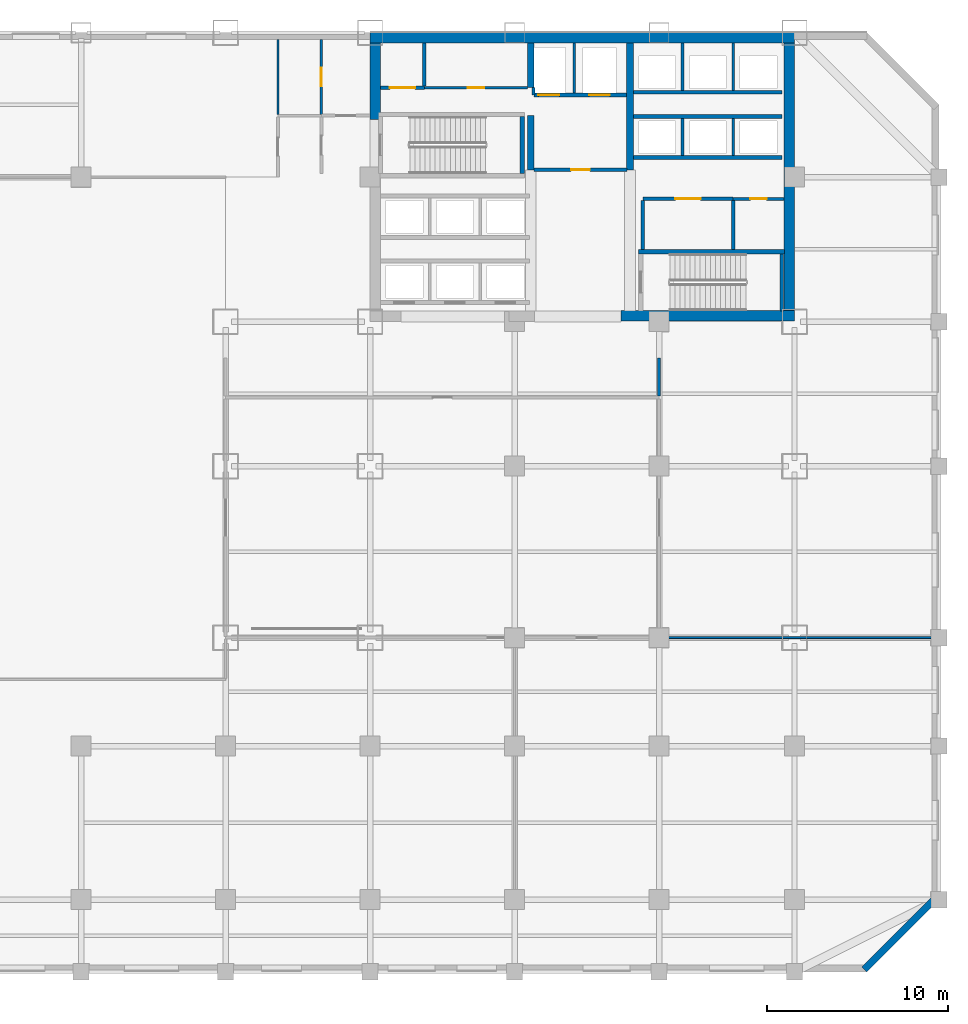
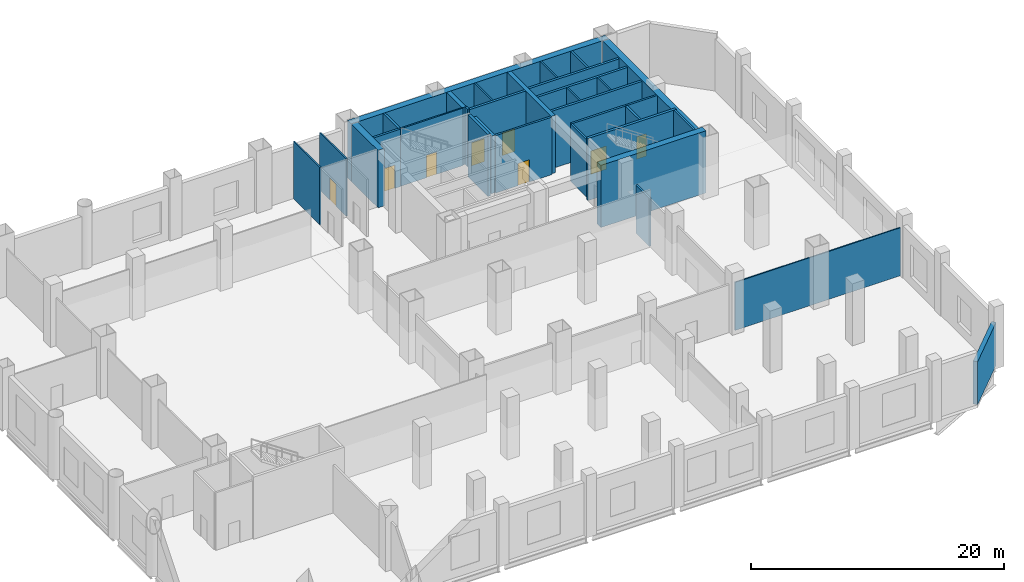
# One storey, part 6 of 11: 33 walls, 8 doors, 8 openings.
"""IFC4 building model written with IfcOpenShell, lengths in metres."""

import ifcopenshell
import ifcopenshell.guid

model = None  # the IFC model being written
_history = None  # IfcOwnerHistory: only IFC2X3 demands one
_inside = {}  # id of a spatial element -> (the spatial element, [elements in it])
_under = {}  # id of a project, library or spatial element -> (it, [spatial elements below it])
_declared = {}  # id of a project -> (the project, [libraries it declares])
_typed = {}  # id of a type object -> (the type object, [elements of that type])
_made_of = {}  # id of a material, layer set ... -> (it, [elements and type objects made of it])


def new_model(schema):
    """Start an empty IFC model of exactly this schema.

    Asked for "IFC4X3", IfcOpenShell would pick the latest addendum, in which some entities
    have other attributes; the version numbers below select the first issue.
    IFC2X3 requires an IfcOwnerHistory on every rooted entity: one is made here for all.
    """
    global model, _history
    if schema == "IFC4X3":
        model = ifcopenshell.file(schema_version=(4, 3, 0, 0))
    else:
        model = ifcopenshell.file(schema=schema)
    _inside.clear()
    _under.clear()
    _declared.clear()
    _typed.clear()
    _made_of.clear()
    _history = None
    if model.schema == "IFC2X3":
        org = make("IfcOrganization", Name="unknown")
        user = make(
            "IfcPersonAndOrganization",
            ThePerson=make("IfcPerson", FamilyName="unknown"),
            TheOrganization=org,
        )
        app = make(
            "IfcApplication",
            ApplicationDeveloper=org,
            Version="unknown",
            ApplicationFullName="unknown",
            ApplicationIdentifier="unknown",
        )
        _history = make(
            "IfcOwnerHistory",
            OwningUser=user,
            OwningApplication=app,
            ChangeAction="ADDED",
            CreationDate=0,
        )
    return model


def make(cls, **values):
    """One entity of the class cls with the attributes given. An attribute that is None is left unset."""
    return model.create_entity(
        cls, **{name: value for name, value in values.items() if value is not None}
    )


def rooted(cls, **values):
    """An entity with a GlobalId (a new one), such as an element, a storey or a relation."""
    return make(cls, GlobalId=ifcopenshell.guid.new(), OwnerHistory=_history, **values)


def si_unit(unit_type, name, prefix=None):
    """IfcSIUnit, for example si_unit("LENGTHUNIT", "METRE", prefix="MILLI")."""
    return make("IfcSIUnit", UnitType=unit_type, Prefix=prefix, Name=name)


def assignment(units):
    """IfcUnitAssignment: the units of a project."""
    return None if units is None else make("IfcUnitAssignment", Units=units)


def point(xyz):
    """IfcCartesianPoint."""
    return None if xyz is None else make("IfcCartesianPoint", Coordinates=xyz)


def direction(xyz):
    """IfcDirection."""
    return None if xyz is None else make("IfcDirection", DirectionRatios=xyz)


def frame(location, z_axis=None, x_axis=None):
    """IfcAxis2Placement3D, a coordinate frame: its origin and axes. An axis left out is left unset."""
    return make(
        "IfcAxis2Placement3D",
        Location=point(location),
        Axis=direction(z_axis),
        RefDirection=direction(x_axis),
    )


def frame_2d(location, x_axis=None):
    """IfcAxis2Placement2D, a coordinate frame in the plane: its origin and x axis."""
    return make(
        "IfcAxis2Placement2D", Location=point(location), RefDirection=direction(x_axis)
    )


def origin():
    """The frame at (0, 0, 0) with its axes left unset."""
    return frame((0.0, 0.0, 0.0))


def place(relative_to, where):
    """IfcLocalPlacement: puts the frame where relative to a parent placement (None: the world)."""
    return make(
        "IfcLocalPlacement", PlacementRelTo=relative_to, RelativePlacement=where
    )


def context(
    kind, dimensions, precision=None, world=None, true_north=None, identifier=None
):
    """IfcGeometricRepresentationContext, for example the 3D "Model" context."""
    return make(
        "IfcGeometricRepresentationContext",
        ContextIdentifier=identifier,
        ContextType=kind,
        CoordinateSpaceDimension=dimensions,
        Precision=precision,
        WorldCoordinateSystem=world,
        TrueNorth=true_north,
    )


def subcontext(parent, identifier, kind, view, scale=None):
    """IfcGeometricRepresentationSubContext, for example "Body" below "Model"."""
    return make(
        "IfcGeometricRepresentationSubContext",
        ContextIdentifier=identifier,
        ContextType=kind,
        ParentContext=parent,
        TargetScale=scale,
        TargetView=view,
    )


def project(units=None, contexts=None):
    """IfcProject with its units and contexts."""
    return rooted(
        "IfcProject",
        Name="project",
        RepresentationContexts=contexts,
        UnitsInContext=assignment(units),
    )


def spatial(cls, under=None, at=None, **own):
    """A site, building, storey or space (cls), placed at a placement, below another one or the project."""
    s = rooted(cls, ObjectPlacement=at, **own)
    if under is not None:
        _under.setdefault(under.id(), (under, []))[1].append(s)
    return s


def profile(cls, at=None, kind="AREA", **sizes):
    """A parametric profile (cls). Its sizes go by their IFC names, for example OverallWidth=200.0."""
    return make(cls, ProfileType=kind, Position=at, **sizes)


def rectangle(**sizes):
    """IfcRectangleProfileDef."""
    return profile("IfcRectangleProfileDef", **sizes)


def extrude(swept, where, along, depth):
    """IfcExtrudedAreaSolid: the profile swept, set in the frame where, extruded along a direction by depth."""
    return make(
        "IfcExtrudedAreaSolid",
        SweptArea=swept,
        Position=where,
        ExtrudedDirection=direction(along),
        Depth=depth,
    )


def shape(context_of_items, identifier, shape_type, items):
    """IfcShapeRepresentation: the items that make up one representation, for example the "Body"."""
    return make(
        "IfcShapeRepresentation",
        ContextOfItems=context_of_items,
        RepresentationIdentifier=identifier,
        RepresentationType=shape_type,
        Items=items,
    )


def material(Name=None, Category=None):
    """IfcMaterial."""
    return make("IfcMaterial", Name=Name, Category=Category)


def layer(
    of_material, thickness, ventilated=None, Name=None, Category=None, Priority=None
):
    """IfcMaterialLayer: one layer of a wall or slab, of a material (None: an air gap)."""
    return make(
        "IfcMaterialLayer",
        Material=of_material,
        LayerThickness=thickness,
        IsVentilated=ventilated,
        Name=Name,
        Category=Category,
        Priority=Priority,
    )


def layer_set(layers, Name=None):
    """IfcMaterialLayerSet."""
    return make("IfcMaterialLayerSet", MaterialLayers=layers, LayerSetName=Name)


def made_of(thing, what):
    """Note that an element or type object is made of a material, layer set ...; save() writes the relation."""
    if what is not None:
        _made_of.setdefault(what.id(), (what, []))[1].append(thing)
    return thing


def type_object(cls, material=None, **own):
    """A type object (cls), such as IfcWallType, which elements share."""
    return made_of(rooted(cls, **own), material)


def element(
    cls,
    number,
    at=None,
    inside=None,
    cuts=None,
    type_object=None,
    material=None,
    context=None,
    identifier="Body",
    shape_type=None,
    held_by="IfcProductDefinitionShape",
    body=None,
    shapes=None,
    **own,
):
    """One element of the class cls, such as IfcWall. Its Tag is "e" and its number.

    at: its placement. inside: the storey or other place that contains it. cuts: it is an
    opening in that element (IfcRelVoidsElement). A single representation is given by context,
    identifier, shape_type and body (its items); several are given by shapes. held_by: the class
    of the entity that holds the representations. save() writes the other relations.
    """
    e = rooted(cls, Tag="e%d" % number, ObjectPlacement=at, **own)
    if body is not None:
        shapes = [shape(context, identifier, shape_type, body)]
    if shapes is not None:
        e.Representation = make(held_by, Representations=shapes)
    if inside is not None:
        _inside.setdefault(inside.id(), (inside, []))[1].append(e)
    if cuts is not None:
        rooted(
            "IfcRelVoidsElement", RelatingBuildingElement=cuts, RelatedOpeningElement=e
        )
    if type_object is not None:
        _typed.setdefault(type_object.id(), (type_object, []))[1].append(e)
    return made_of(e, material)


def fill(opening, filler):
    """IfcRelFillsElement: the door or window that sits in an opening."""
    return rooted(
        "IfcRelFillsElement",
        RelatingOpeningElement=opening,
        RelatedBuildingElement=filler,
    )


def aggregate(whole, parts):
    """IfcRelAggregates: a whole, such as a stair, and the parts it consists of."""
    return rooted("IfcRelAggregates", RelatingObject=whole, RelatedObjects=parts)


def save(model, path):
    """Write the relations noted so far, then the file.

    IfcRelAggregates (storeys below a building ...), IfcRelContainedInSpatialStructure (elements
    in a storey), IfcRelDefinesByType, IfcRelAssociatesMaterial and IfcRelDeclares: one each for
    every whole, place, type object, material and project.
    """
    for whole, parts in _under.values():
        aggregate(whole, parts)
    for where, things in _inside.values():
        rooted(
            "IfcRelContainedInSpatialStructure",
            RelatedElements=things,
            RelatingStructure=where,
        )
    for kind, things in _typed.values():
        rooted("IfcRelDefinesByType", RelatedObjects=things, RelatingType=kind)
    for what, things in _made_of.values():
        rooted("IfcRelAssociatesMaterial", RelatedObjects=things, RelatingMaterial=what)
    for by, libraries in _declared.values():
        rooted("IfcRelDeclares", RelatingContext=by, RelatedDefinitions=libraries)
    model.write(path)


model = new_model("IFC4")

# Units and contexts
model_context = context("Model", 3, precision=1e-05, world=origin(), true_north=direction((0.0, 1.0)))
body_context = subcontext(model_context, "Body", "Model", "MODEL_VIEW")
ifc_project = project(units=[si_unit("LENGTHUNIT", "METRE"), si_unit("AREAUNIT", "SQUARE_METRE"), si_unit("VOLUMEUNIT", "CUBIC_METRE"), si_unit("PLANEANGLEUNIT", "RADIAN"), si_unit("MASSUNIT", "GRAM", prefix="KILO")], contexts=[model_context])

# Site, building, storey
site_placement = place(None, origin())
site = spatial("IfcSite", under=ifc_project, at=site_placement, CompositionType="ELEMENT")
building_placement = place(site_placement, origin())
building = spatial("IfcBuilding", under=site, at=building_placement, Name="Qianrong Seaharbour Tower", CompositionType="ELEMENT")
storey_placement = place(building_placement, frame((0.0, 0.0, 11.39990234375)))
storey = spatial("IfcBuildingStorey", under=building, at=storey_placement, Name="L03", CompositionType="ELEMENT", Elevation=11.39990234375)

# Walls
ifc_material_1 = material(Name="Concrete C70/85", Category="concrete")
ifc_layer_1 = layer(ifc_material_1, 0.580078125)
ifc_layer_set_1 = layer_set([ifc_layer_1], Name="Concrete C70/85")
wall_type_1 = type_object("IfcWallType", Name="WALL-CORE-580", PredefinedType="SHEAR", material=ifc_layer_set_1)
wall_1_placement = place(storey_placement, frame((40.5, 51.7099609375, 0.0), z_axis=(0.0, 0.0, 1.0), x_axis=(1.0, 0.0, 0.0)))
element("IfcWall", 1, at=wall_1_placement, inside=storey, type_object=wall_type_1, Name="L03 North Core Shear Wall", PredefinedType="SHEAR", context=body_context, shape_type="SweptSolid", body=[
    extrude(rectangle(XDim=23.5, YDim=0.580078125, at=frame_2d((11.75, 0.0))), origin(), (0.0, 0.0, 1.0), 5.550048828125),
])
wall_2_placement = place(storey_placement, frame((63.7099609375, 36.320068359375, 0.0), z_axis=(0.0, 0.0, 1.0), x_axis=(0.0, 1.0, 0.0)))
element("IfcWall", 2, at=wall_2_placement, inside=storey, type_object=wall_type_1, Name="L03 East Core Shear Wall", PredefinedType="SHEAR", context=body_context, shape_type="SweptSolid", body=[
    extrude(rectangle(XDim=15.099853515625, YDim=0.580078125, at=frame_2d((7.5498046875, 0.0))), origin(), (0.0, 0.0, 1.0), 5.550048828125),
])
wall_3_placement = place(storey_placement, frame((40.7900390625, 47.199951171875, 0.0), z_axis=(0.0, 0.0, 1.0), x_axis=(0.0, 1.0, 0.0)))
element("IfcWall", 3, at=wall_3_placement, inside=storey, type_object=wall_type_1, Name="L03 West Core Shear Wall North", PredefinedType="SHEAR", context=body_context, shape_type="SweptSolid", body=[
    extrude(rectangle(XDim=4.219970703125, YDim=0.580078125, at=frame_2d((2.10986328125, 0.0))), origin(), (0.0, 0.0, 1.0), 5.550048828125),
])
wall_4_placement = place(storey_placement, frame((54.39990234375, 36.320068359375, 0.0), z_axis=(0.0, 0.0, 1.0), x_axis=(1.0, 0.0, 0.0)))
element("IfcWall", 4, at=wall_4_placement, inside=storey, type_object=wall_type_1, Name="L03 South Core Shear Wall S3", PredefinedType="SHEAR", context=body_context, shape_type="SweptSolid", body=[
    extrude(rectangle(XDim=9.60009765625, YDim=0.580078125, at=frame_2d((4.800048828125, 0.0))), origin(), (0.0, 0.0, 1.0), 6.0),
])
ifc_material_2 = material(Name="Concrete C60/75", Category="concrete")
ifc_layer_2 = layer(ifc_material_2, 0.3798828125)
ifc_layer_set_2 = layer_set([ifc_layer_2], Name="Concrete C60/75")
wall_type_2 = type_object("IfcWallType", Name="WALL-CORE-INT-380", PredefinedType="SHEAR", material=ifc_layer_set_2)
wall_5_placement = place(storey_placement, frame((49.39990234375, 44.39990234375, 0.0), z_axis=(0.0, 0.0, 1.0), x_axis=(0.0, 1.0, 0.0)))
element("IfcWall", 5, at=wall_5_placement, inside=storey, type_object=wall_type_2, Name="L03 Internal Core Shear Wall IW1N1", PredefinedType="SHEAR", context=body_context, shape_type="SweptSolid", body=[
    extrude(rectangle(XDim=3.0, YDim=0.3798828125, at=frame_2d((1.5, 0.0))), origin(), (0.0, 0.0, 1.0), 5.550048828125),
])
wall_6_placement = place(storey_placement, frame((49.39990234375, 48.949951171875, 0.0), z_axis=(0.0, 0.0, 1.0), x_axis=(0.0, 1.0, 0.0)))
element("IfcWall", 6, at=wall_6_placement, inside=storey, type_object=wall_type_2, Name="L03 Internal Core Shear Wall IW1N2", PredefinedType="SHEAR", context=body_context, shape_type="SweptSolid", body=[
    extrude(rectangle(XDim=2.469970703125, YDim=0.3798828125, at=frame_2d((1.23486328125, 0.0))), origin(), (0.0, 0.0, 1.0), 5.550048828125),
])
wall_7_placement = place(storey_placement, frame((54.89990234375, 44.39990234375, 0.0), z_axis=(0.0, 0.0, 1.0), x_axis=(0.0, 1.0, 0.0)))
element("IfcWall", 7, at=wall_7_placement, inside=storey, type_object=wall_type_2, Name="L03 Internal Core Shear Wall IW2N", PredefinedType="SHEAR", context=body_context, shape_type="SweptSolid", body=[
    extrude(rectangle(XDim=7.02001953125, YDim=0.3798828125, at=frame_2d((3.510009765625, 0.0))), origin(), (0.0, 0.0, 1.0), 5.550048828125),
])

# Wall, opening, door
ifc_material_3 = material(Name="Fire-rated acoustic gypsum board partition")
ifc_layer_3 = layer(ifc_material_3, 0.1650390625)
ifc_layer_set_3 = layer_set([ifc_layer_3], Name="Fire-rated acoustic gypsum board partition")
wall_type_3 = type_object("IfcWallType", Name="WALL-CORR-PART-165", PredefinedType="PARTITIONING", material=ifc_layer_set_3)
wall_8_placement = place(storey_placement, frame((63.419921875, 42.800048828125, 0.0), z_axis=(0.0, 0.0, 1.0), x_axis=(-1.0, 0.0, 0.0)))
wall_8 = element("IfcWall", 8, at=wall_8_placement, inside=storey, type_object=wall_type_3, Name="L03 Interior Partition Wall 011", PredefinedType="PARTITIONING", context=body_context, shape_type="SweptSolid", body=[
    extrude(rectangle(XDim=2.81982421875, YDim=0.1650390625, at=frame_2d((1.409912109375, 0.0))), origin(), (0.0, 0.0, 1.0), 5.550048828125),
])
opening_1_placement = place(wall_8_placement, frame((0.9599609375, 0.0, 0.0)))
opening_1 = element("IfcOpeningElement", 9, at=opening_1_placement, cuts=wall_8, Name="Opening DS-01", PredefinedType="OPENING", context=body_context, shape_type="SweptSolid", body=[
    extrude(rectangle(XDim=0.89990234375, YDim=2.14990234375, at=frame_2d((0.449951171875, 1.074951171875))), frame((0.0, 0.092529296875, 0.0), z_axis=(0.0, -1.0, 0.0), x_axis=(1.0, 0.0, 0.0)), (0.0, 0.0, 1.0), 0.18505859375),
])
ifc_material_4 = material(Name="Acoustic timber and galvanized steel fire door assembly", Category="steel")
door_type_1 = type_object("IfcDoorType", Name="DOOR-STORE-900x2150", OperationType="NOTDEFINED", PredefinedType="DOOR", material=ifc_material_4)
door_1_placement = place(opening_1_placement, origin())
door_1 = element("IfcDoor", 10, at=door_1_placement, inside=storey, type_object=door_type_1, Name="L03 Housekeeping Linen Store Door", OperationType="SINGLE_SWING_LEFT", OverallHeight=2.14990234375, OverallWidth=0.89990234375, PredefinedType="DOOR", context=body_context, shape_type="SweptSolid", body=[
    extrude(rectangle(XDim=0.89990234375, YDim=2.14990234375, at=frame_2d((0.449951171875, 1.074951171875))), frame((0.0, 0.02490234375, 0.0), z_axis=(0.0, -1.0, 0.0), x_axis=(1.0, 0.0, 0.0)), (0.0, 0.0, 1.0), 0.050048828125),
])
fill(opening_1, door_1)

# Walls
wall_9_placement = place(storey_placement, frame((56.5, 34.0, 0.0), z_axis=(0.0, 0.0, 1.0), x_axis=(0.0, -1.0, 0.0)))
element("IfcWall", 11, at=wall_9_placement, inside=storey, type_object=wall_type_3, Name="L03 Interior Partition Wall 019", PredefinedType="PARTITIONING", context=body_context, shape_type="SweptSolid", body=[
    extrude(rectangle(XDim=2.12548828125, YDim=0.1650390625, at=frame_2d((1.062744140625, 0.0))), origin(), (0.0, 0.0, 1.0), 4.64208984375),
])
ifc_material_5 = material(Name="Demountable aluminium-framed acoustic office partition", Category="aluminium")
ifc_layer_4 = layer(ifc_material_5, 0.110107421875)
ifc_layer_set_4 = layer_set([ifc_layer_4], Name="Demountable aluminium-framed acoustic office partition")
wall_type_4 = type_object("IfcWallType", Name="WALL-DEMOUNT-110", PredefinedType="MOVABLE", material=ifc_layer_set_4)
wall_10_placement = place(storey_placement, frame((71.6279296875, 18.5, 0.0), z_axis=(0.0, 0.0, 1.0), x_axis=(-1.0, 0.0, 0.0)))
element("IfcWall", 12, at=wall_10_placement, inside=storey, type_object=wall_type_4, Name="L03 Interior Partition Wall 034", PredefinedType="MOVABLE", context=body_context, shape_type="SweptSolid", body=[
    extrude(rectangle(XDim=15.1279296875, YDim=0.110107421875, at=frame_2d((7.56396484375, 0.0))), origin(), (0.0, 0.0, 1.0), 4.64208984375),
])
ifc_material_6 = material(Name="Natural honed granite dimension stone", Category="masonry")
ifc_layer_5 = layer(ifc_material_6, 0.3798828125)
ifc_layer_set_5 = layer_set([ifc_layer_5], Name="Natural honed granite dimension stone")
wall_type_5 = type_object("IfcWallType", Name="WALL-EXT-GRANITE-380", PredefinedType="SOLIDWALL", material=ifc_layer_set_5)
wall_11_placement = place(storey_placement, frame((71.86572265625, 4.13427734375, 0.0), z_axis=(0.0, 0.0, 1.0), x_axis=(-0.707106781187, -0.707106781187, 0.0)))
element("IfcWall", 13, at=wall_11_placement, inside=storey, type_object=wall_type_5, Name="L03 Exterior Masonry Facade Wall E05", PredefinedType="SOLIDWALL", context=body_context, shape_type="SweptSolid", body=[
    extrude(rectangle(XDim=5.65673828125, YDim=0.3798828125, at=frame_2d((2.828369140625, 0.0))), origin(), (0.0, 0.0, 1.0), 4.150146484375),
])

# Wall, opening, door
ifc_material_7 = material(Name="Double fire-rated gypsum board acoustic partition")
ifc_layer_6 = layer(ifc_material_7, 0.18994140625)
ifc_layer_set_6 = layer_set([ifc_layer_6], Name="Double fire-rated gypsum board acoustic partition")
wall_type_6 = type_object("IfcWallType", Name="WALL-FIRE-PART-190", PredefinedType="PARTITIONING", material=ifc_layer_set_6)
wall_12_placement = place(storey_placement, frame((41.080078125, 48.949951171875, 0.0), z_axis=(0.0, 0.0, 1.0), x_axis=(1.0, 0.0, 0.0)))
wall_12 = element("IfcWall", 14, at=wall_12_placement, inside=storey, type_object=wall_type_6, Name="L03 Interior Partition Wall 006", PredefinedType="PARTITIONING", context=body_context, shape_type="SweptSolid", body=[
    extrude(rectangle(XDim=2.419921875, YDim=0.18994140625, at=frame_2d((1.2099609375, 0.0))), origin(), (0.0, 0.0, 1.0), 5.550048828125),
])
opening_2_placement = place(wall_12_placement, frame((0.510009765625, 0.0, 0.0)))
opening_2 = element("IfcOpeningElement", 15, at=opening_2_placement, cuts=wall_12, Name="Opening DP-01", PredefinedType="OPENING", context=body_context, shape_type="SweptSolid", body=[
    extrude(rectangle(XDim=1.39990234375, YDim=2.25, at=frame_2d((0.699951171875, 1.125))), frame((0.0, 0.10498046875, 0.0), z_axis=(0.0, -1.0, 0.0), x_axis=(1.0, 0.0, 0.0)), (0.0, 0.0, 1.0), 0.2099609375),
])
door_type_2 = type_object("IfcDoorType", Name="DOOR-PLANT-PAIR-1400x2250", OperationType="DOUBLE_DOOR_SINGLE_SWING", PredefinedType="DOOR", material=ifc_material_4)
door_2_placement = place(opening_2_placement, origin())
door_2 = element("IfcDoor", 16, at=door_2_placement, inside=storey, type_object=door_type_2, Name="L03 Core Electrical Closet Door", OperationType="DOUBLE_DOOR_SINGLE_SWING", OverallHeight=2.25, OverallWidth=1.39990234375, PredefinedType="DOOR", context=body_context, shape_type="SweptSolid", body=[
    extrude(rectangle(XDim=1.39990234375, YDim=2.25, at=frame_2d((0.699951171875, 1.125))), frame((0.0, 0.02490234375, 0.0), z_axis=(0.0, -1.0, 0.0), x_axis=(1.0, 0.0, 0.0)), (0.0, 0.0, 1.0), 0.050048828125),
])
fill(opening_2, door_2)

wall_13_placement = place(storey_placement, frame((54.718017578125, 44.39990234375, 0.0), z_axis=(0.0, 0.0, 1.0), x_axis=(-1.0, 0.0, 0.0)))
wall_13 = element("IfcWall", 17, at=wall_13_placement, inside=storey, type_object=wall_type_6, Name="L03 Interior Partition Wall 008", PredefinedType="PARTITIONING", context=body_context, shape_type="SweptSolid", body=[
    extrude(rectangle(XDim=5.135986328125, YDim=0.18994140625, at=frame_2d((2.56787109375, 0.0))), origin(), (0.0, 0.0, 1.0), 5.550048828125),
])
opening_3_placement = place(wall_13_placement, frame((2.04296875, 0.0, 0.0)))
opening_3 = element("IfcOpeningElement", 18, at=opening_3_placement, cuts=wall_13, Name="Opening DC-01", PredefinedType="OPENING", context=body_context, shape_type="SweptSolid", body=[
    extrude(rectangle(XDim=1.050048828125, YDim=2.14990234375, at=frame_2d((0.52490234375, 1.074951171875))), frame((0.0, 0.10498046875, 0.0), z_axis=(0.0, -1.0, 0.0), x_axis=(1.0, 0.0, 0.0)), (0.0, 0.0, 1.0), 0.2099609375),
])
door_type_3 = type_object("IfcDoorType", Name="DOOR-CORR-FD60-1050x2150", OperationType="NOTDEFINED", PredefinedType="DOOR", material=ifc_material_4)
door_3_placement = place(opening_3_placement, origin())
door_3 = element("IfcDoor", 19, at=door_3_placement, inside=storey, type_object=door_type_3, Name="L03 Firefighting Lift Lobby Door", OperationType="SINGLE_SWING_RIGHT", OverallHeight=2.14990234375, OverallWidth=1.050048828125, PredefinedType="DOOR", context=body_context, shape_type="SweptSolid", body=[
    extrude(rectangle(XDim=1.050048828125, YDim=2.14990234375, at=frame_2d((0.52490234375, 1.074951171875))), frame((0.0, 0.02490234375, 0.0), z_axis=(0.0, -1.0, 0.0), x_axis=(1.0, 0.0, 0.0)), (0.0, 0.0, 1.0), 0.050048828125),
])
fill(opening_3, door_3)

# Wall
wall_14_placement = place(storey_placement, frame((55.60009765625, 42.712890625, 0.0), z_axis=(0.0, 0.0, 1.0), x_axis=(0.0, -1.0, 0.0)))
element("IfcWall", 20, at=wall_14_placement, inside=storey, type_object=wall_type_6, Name="L03 Interior Partition Wall 009", PredefinedType="PARTITIONING", context=body_context, shape_type="SweptSolid", body=[
    extrude(rectangle(XDim=2.73095703125, YDim=0.18994140625, at=frame_2d((1.365478515625, 0.0))), origin(), (0.0, 0.0, 1.0), 5.550048828125),
])

# Wall, opening, door
wall_15_placement = place(storey_placement, frame((60.60009765625, 42.800048828125, 0.0), z_axis=(0.0, 0.0, 1.0), x_axis=(-1.0, 0.0, 0.0)))
wall_15 = element("IfcWall", 21, at=wall_15_placement, inside=storey, type_object=wall_type_6, Name="L03 Interior Partition Wall 010", PredefinedType="PARTITIONING", context=body_context, shape_type="SweptSolid", body=[
    extrude(rectangle(XDim=5.0, YDim=0.18994140625, at=frame_2d((2.5, 0.0))), origin(), (0.0, 0.0, 1.0), 5.550048828125),
])
opening_4_placement = place(wall_15_placement, frame((1.800048828125, 0.0, 0.0)))
opening_4 = element("IfcOpeningElement", 22, at=opening_4_placement, cuts=wall_15, Name="Opening DP-01", PredefinedType="OPENING", context=body_context, shape_type="SweptSolid", body=[
    extrude(rectangle(XDim=1.39990234375, YDim=2.25, at=frame_2d((0.699951171875, 1.125))), frame((0.0, 0.10498046875, 0.0), z_axis=(0.0, -1.0, 0.0), x_axis=(1.0, 0.0, 0.0)), (0.0, 0.0, 1.0), 0.2099609375),
])
door_4_placement = place(opening_4_placement, origin())
door_4 = element("IfcDoor", 23, at=door_4_placement, inside=storey, type_object=door_type_2, Name="L03 Submetering Switch Room Door", OperationType="DOUBLE_DOOR_SINGLE_SWING", OverallHeight=2.25, OverallWidth=1.39990234375, PredefinedType="DOOR", context=body_context, shape_type="SweptSolid", body=[
    extrude(rectangle(XDim=1.39990234375, YDim=2.25, at=frame_2d((0.699951171875, 1.125))), frame((0.0, 0.02490234375, 0.0), z_axis=(0.0, -1.0, 0.0), x_axis=(1.0, 0.0, 0.0)), (0.0, 0.0, 1.0), 0.050048828125),
])
fill(opening_4, door_4)

# Walls
wall_16_placement = place(storey_placement, frame((43.5, 51.419921875, 0.0), z_axis=(0.0, 0.0, 1.0), x_axis=(0.0, -1.0, 0.0)))
element("IfcWall", 24, at=wall_16_placement, inside=storey, type_object=wall_type_6, Name="L03 Interior Partition Wall 012", PredefinedType="PARTITIONING", context=body_context, shape_type="SweptSolid", body=[
    extrude(rectangle(XDim=2.3828125, YDim=0.18994140625, at=frame_2d((1.19140625, 0.0))), origin(), (0.0, 0.0, 1.0), 5.550048828125),
])
wall_17_placement = place(storey_placement, frame((60.60009765625, 42.712890625, 0.0), z_axis=(0.0, 0.0, 1.0), x_axis=(0.0, -1.0, 0.0)))
element("IfcWall", 25, at=wall_17_placement, inside=storey, type_object=wall_type_6, Name="L03 Interior Partition Wall 013", PredefinedType="PARTITIONING", context=body_context, shape_type="SweptSolid", body=[
    extrude(rectangle(XDim=2.73095703125, YDim=0.18994140625, at=frame_2d((1.365478515625, 0.0))), origin(), (0.0, 0.0, 1.0), 5.550048828125),
])
ifc_material_8 = material(Name="Fire-rated gypsum board on steel studs", Category="steel")
ifc_layer_7 = layer(ifc_material_8, 0.14990234375)
ifc_layer_set_7 = layer_set([ifc_layer_7], Name="Fire-rated gypsum board on steel studs")
wall_type_7 = type_object("IfcWallType", Name="WALL-SHAFT-DIV-150", PredefinedType="PARTITIONING", material=ifc_layer_set_7)
wall_18_placement = place(storey_placement, frame((51.800048828125, 48.669921875, 0.0), z_axis=(0.0, 0.0, 1.0), x_axis=(0.0, 1.0, 0.0)))
element("IfcWall", 26, at=wall_18_placement, inside=storey, type_object=wall_type_7, Name="L03 Firefighting Lift Shaft Divider Wall", PredefinedType="PARTITIONING", context=body_context, shape_type="SweptSolid", body=[
    extrude(rectangle(XDim=2.75, YDim=0.14990234375, at=frame_2d((1.375, 0.0))), origin(), (0.0, 0.0, 1.0), 5.550048828125),
])
wall_19_placement = place(storey_placement, frame((49.550048828125, 48.550048828125, 0.0), z_axis=(0.0, 0.0, 1.0), x_axis=(0.0, 1.0, 0.0)))
element("IfcWall", 27, at=wall_19_placement, inside=storey, type_object=wall_type_7, Name="L03 Firefighting Lift Shaft West Return Wall", PredefinedType="PARTITIONING", context=body_context, shape_type="SweptSolid", body=[
    extrude(rectangle(XDim=0.39990234375, YDim=0.14990234375, at=frame_2d((0.199951171875, 0.0))), origin(), (0.0, 0.0, 1.0), 5.550048828125),
])
for number, where, z_axis, x_axis, name in (
    (28, (57.800048828125, 45.2099609375, 0.0), (0.0, 0.0, 1.0), (0.0, 1.0, 0.0), "L03 P3 Lift Hoistway Divider 2"),
    (29, (60.60009765625, 45.2099609375, 0.0), (0.0, 0.0, 1.0), (0.0, 1.0, 0.0), "L03 P3 Lift Hoistway Divider 3"),
):
    element("IfcWall", number, at=place(storey_placement, frame(where, z_axis=z_axis, x_axis=x_axis)), inside=storey, type_object=wall_type_7, Name=name, PredefinedType="PARTITIONING", context=body_context, shape_type="SweptSolid", body=[
        extrude(rectangle(XDim=2.030029296875, YDim=0.14990234375, at=frame_2d((1.01513671875, 0.0))), origin(), (0.0, 0.0, 1.0), 5.550048828125),
    ])
for number, where, z_axis, x_axis, name in (
    (30, (57.800048828125, 48.81005859375, 0.0), (0.0, 0.0, 1.0), (0.0, 1.0, 0.0), "L03 P4 Lift Hoistway Divider 2"),
    (31, (60.60009765625, 48.81005859375, 0.0), (0.0, 0.0, 1.0), (0.0, 1.0, 0.0), "L03 P4 Lift Hoistway Divider 3"),
):
    element("IfcWall", number, at=place(storey_placement, frame(where, z_axis=z_axis, x_axis=x_axis)), inside=storey, type_object=wall_type_7, Name=name, PredefinedType="PARTITIONING", context=body_context, shape_type="SweptSolid", body=[
        extrude(rectangle(XDim=2.60986328125, YDim=0.14990234375, at=frame_2d((1.304931640625, 0.0))), origin(), (0.0, 0.0, 1.0), 5.550048828125),
    ])

# Wall, openings, doors
ifc_layer_8 = layer(ifc_material_8, 0.219970703125)
ifc_layer_set_8 = layer_set([ifc_layer_8], Name="Fire-rated gypsum board on steel studs")
wall_type_8 = type_object("IfcWallType", Name="WALL-SHAFT-GYP220", PredefinedType="PARTITIONING", material=ifc_layer_set_8)
wall_20_placement = place(storey_placement, frame((54.7099609375, 48.550048828125, 0.0), z_axis=(0.0, 0.0, 1.0), x_axis=(-1.0, 0.0, 0.0)))
wall_20 = element("IfcWall", 32, at=wall_20_placement, inside=storey, type_object=wall_type_8, Name="L03 Firefighting Lift Shaft Front Wall", PredefinedType="PARTITIONING", context=body_context, shape_type="SweptSolid", body=[
    extrude(rectangle(XDim=5.119873046875, YDim=0.219970703125, at=frame_2d((2.56005859375, 0.0))), origin(), (0.0, 0.0, 1.0), 5.550048828125),
])
opening_5_placement = place(wall_20_placement, frame((3.735107421875, 0.0, 0.0)))
opening_5 = element("IfcOpeningElement", 33, at=opening_5_placement, cuts=wall_20, Name="Opening LD-01", PredefinedType="OPENING", context=body_context, shape_type="SweptSolid", body=[
    extrude(rectangle(XDim=1.14990234375, YDim=2.199951171875, at=frame_2d((0.574951171875, 1.10009765625))), frame((0.0, 0.1201171875, 0.0), z_axis=(0.0, -1.0, 0.0), x_axis=(1.0, 0.0, 0.0)), (0.0, 0.0, 1.0), 0.239990234375),
])
opening_6_placement = place(wall_20_placement, frame((0.93505859375, 0.0, 0.0)))
opening_6 = element("IfcOpeningElement", 34, at=opening_6_placement, cuts=wall_20, Name="Opening LD-01", PredefinedType="OPENING", context=body_context, shape_type="SweptSolid", body=[
    extrude(rectangle(XDim=1.14990234375, YDim=2.199951171875, at=frame_2d((0.574951171875, 1.10009765625))), frame((0.0, 0.1201171875, 0.0), z_axis=(0.0, -1.0, 0.0), x_axis=(1.0, 0.0, 0.0)), (0.0, 0.0, 1.0), 0.239990234375),
])
ifc_material_9 = material(Name="Stainless steel SUS316L bi-parting lift landing door", Category="steel")
door_type_4 = type_object("IfcDoorType", Name="DOOR-LIFT-FF-1150x2200", OperationType="DOUBLE_DOOR_SLIDING", PredefinedType="DOOR", material=ifc_material_9)
door_5_placement = place(opening_5_placement, origin())
door_5 = element("IfcDoor", 35, at=door_5_placement, inside=storey, type_object=door_type_4, Name="L03 FL-1 Firefighting Lift Landing Door", OperationType="DOUBLE_DOOR_SLIDING", OverallHeight=2.199951171875, OverallWidth=1.14990234375, PredefinedType="DOOR", context=body_context, shape_type="SweptSolid", body=[
    extrude(rectangle(XDim=1.14990234375, YDim=2.199951171875, at=frame_2d((0.574951171875, 1.10009765625))), frame((0.0, 0.02490234375, 0.0), z_axis=(0.0, -1.0, 0.0), x_axis=(1.0, 0.0, 0.0)), (0.0, 0.0, 1.0), 0.050048828125),
])
fill(opening_5, door_5)
door_6_placement = place(opening_6_placement, origin())
door_6 = element("IfcDoor", 36, at=door_6_placement, inside=storey, type_object=door_type_4, Name="L03 FL-2 Firefighting Lift Landing Door", OperationType="DOUBLE_DOOR_SLIDING", OverallHeight=2.199951171875, OverallWidth=1.14990234375, PredefinedType="DOOR", context=body_context, shape_type="SweptSolid", body=[
    extrude(rectangle(XDim=1.14990234375, YDim=2.199951171875, at=frame_2d((0.574951171875, 1.10009765625))), frame((0.0, 0.02490234375, 0.0), z_axis=(0.0, -1.0, 0.0), x_axis=(1.0, 0.0, 0.0)), (0.0, 0.0, 1.0), 0.050048828125),
])
fill(opening_6, door_6)

# Walls
for number, where, z_axis, x_axis, name in (
    (37, (63.320068359375, 45.10009765625, 0.0), (0.0, 0.0, 1.0), (-1.0, 0.0, 0.0), "L03 P3 Lift Hoistway Front Wall"),
    (38, (55.080078125, 47.35009765625, 0.0), (0.0, 0.0, 1.0), (1.0, 0.0, 0.0), "L03 P3 Lift Hoistway Back Wall"),
    (39, (63.320068359375, 48.699951171875, 0.0), (0.0, 0.0, 1.0), (-1.0, 0.0, 0.0), "L03 P4 Lift Hoistway Front Wall"),
):
    element("IfcWall", number, at=place(storey_placement, frame(where, z_axis=z_axis, x_axis=x_axis)), inside=storey, type_object=wall_type_8, Name=name, PredefinedType="PARTITIONING", context=body_context, shape_type="SweptSolid", body=[
        extrude(rectangle(XDim=8.239990234375, YDim=0.219970703125, at=frame_2d((4.1201171875, 0.0))), origin(), (0.0, 0.0, 1.0), 5.550048828125),
    ])
ifc_material_10 = material(Name="Concrete C50/60", Category="concrete")
ifc_layer_9 = layer(ifc_material_10, 0.239990234375)
ifc_layer_set_9 = layer_set([ifc_layer_9], Name="Concrete C50/60")
wall_type_9 = type_object("IfcWallType", Name="WALL-SHAFT-RC240", PredefinedType="SOLIDWALL", material=ifc_layer_set_9)
wall_21_placement = place(storey_placement, frame((48.919921875, 44.199951171875, 0.0), z_axis=(0.0, 0.0, 1.0), x_axis=(0.0, 1.0, 0.0)))
element("IfcWall", 40, at=wall_21_placement, inside=storey, type_object=wall_type_9, Name="L03 ST-1 Structural Stair Core Wall E", PredefinedType="SOLIDWALL", context=body_context, shape_type="SweptSolid", body=[
    extrude(rectangle(XDim=3.150146484375, YDim=0.239990234375, at=frame_2d((1.5751953125, 0.0))), origin(), (0.0, 0.0, 1.0), 6.0),
])
wall_22_placement = place(storey_placement, frame((55.360107421875, 39.8701171875, 0.0), z_axis=(0.0, 0.0, 1.0), x_axis=(1.0, 0.0, 0.0)))
element("IfcWall", 41, at=wall_22_placement, inside=storey, type_object=wall_type_9, Name="L03 ST-2 Structural Stair Core Wall N", PredefinedType="SOLIDWALL", context=body_context, shape_type="SweptSolid", body=[
    extrude(rectangle(XDim=8.079833984375, YDim=0.239990234375, at=frame_2d((4.0400390625, 0.0))), origin(), (0.0, 0.0, 1.0), 6.0),
])
wall_23_placement = place(storey_placement, frame((63.2900390625, 36.60009765625, 0.0), z_axis=(0.0, 0.0, 1.0), x_axis=(0.0, 1.0, 0.0)))
element("IfcWall", 42, at=wall_23_placement, inside=storey, type_object=wall_type_9, Name="L03 ST-2 Structural Stair Core Wall E", PredefinedType="SOLIDWALL", context=body_context, shape_type="SweptSolid", body=[
    extrude(rectangle(XDim=3.14990234375, YDim=0.179931640625, at=frame_2d((1.574951171875, 0.0))), origin(), (0.0, 0.0, 1.0), 6.0),
])

# Wall, opening, door
ifc_material_11 = material(Name="Water-resistant cement board sanitary partition")
ifc_layer_10 = layer(ifc_material_11, 0.1298828125)
ifc_layer_set_10 = layer_set([ifc_layer_10], Name="Water-resistant cement board sanitary partition")
wall_type_10 = type_object("IfcWallType", Name="WALL-WET-PART-130", PredefinedType="PARTITIONING", material=ifc_layer_set_10)
wall_24_placement = place(storey_placement, frame((37.800048828125, 47.474609375, 0.0), z_axis=(0.0, 0.0, 1.0), x_axis=(0.0, 1.0, 0.0)))
wall_24 = element("IfcWall", 43, at=wall_24_placement, inside=storey, type_object=wall_type_10, Name="L03 Interior Partition Wall 003", PredefinedType="PARTITIONING", context=body_context, shape_type="SweptSolid", body=[
    extrude(rectangle(XDim=4.1533203125, YDim=0.1298828125, at=frame_2d((2.07666015625, 0.0))), origin(), (0.0, 0.0, 1.0), 5.550048828125),
])
opening_7_placement = place(wall_24_placement, frame((1.56689453125, 0.0, 0.0)))
opening_7 = element("IfcOpeningElement", 44, at=opening_7_placement, cuts=wall_24, Name="Opening DAW-01", PredefinedType="OPENING", context=body_context, shape_type="SweptSolid", body=[
    extrude(rectangle(XDim=1.02001953125, YDim=2.14990234375, at=frame_2d((0.510009765625, 1.074951171875))), frame((0.0, 0.074951171875, 0.0), z_axis=(0.0, -1.0, 0.0), x_axis=(1.0, 0.0, 0.0)), (0.0, 0.0, 1.0), 0.14990234375),
])
door_type_5 = type_object("IfcDoorType", Name="DOOR-AWC-SLIDE-1020x2150", OperationType="SLIDING_TO_LEFT", PredefinedType="DOOR", material=ifc_material_4)
door_7_placement = place(opening_7_placement, origin())
door_7 = element("IfcDoor", 45, at=door_7_placement, inside=storey, type_object=door_type_5, Name="L03 Accessible Restroom WC Door", OperationType="SLIDING_TO_LEFT", OverallHeight=2.14990234375, OverallWidth=1.02001953125, PredefinedType="DOOR", context=body_context, shape_type="SweptSolid", body=[
    extrude(rectangle(XDim=1.02001953125, YDim=2.14990234375, at=frame_2d((0.510009765625, 1.074951171875))), frame((0.0, 0.02490234375, 0.0), z_axis=(0.0, -1.0, 0.0), x_axis=(1.0, 0.0, 0.0)), (0.0, 0.0, 1.0), 0.050048828125),
])
fill(opening_7, door_7)

# Wall
wall_25_placement = place(storey_placement, frame((35.39990234375, 47.45703125, 0.0), z_axis=(0.0, 0.0, 1.0), x_axis=(0.0, 1.0, 0.0)))
element("IfcWall", 46, at=wall_25_placement, inside=storey, type_object=wall_type_10, Name="L03 Interior Partition Wall 005", PredefinedType="PARTITIONING", context=body_context, shape_type="SweptSolid", body=[
    extrude(rectangle(XDim=4.1708984375, YDim=0.1298828125, at=frame_2d((2.08544921875, 0.0))), origin(), (0.0, 0.0, 1.0), 5.550048828125),
])

# Wall, opening, door
wall_26_placement = place(storey_placement, frame((43.5, 48.949951171875, 0.0), z_axis=(0.0, 0.0, 1.0), x_axis=(1.0, 0.0, 0.0)))
wall_26 = element("IfcWall", 47, at=wall_26_placement, inside=storey, type_object=wall_type_10, Name="L03 Interior Partition Wall 007", PredefinedType="PARTITIONING", context=body_context, shape_type="SweptSolid", body=[
    extrude(rectangle(XDim=5.718017578125, YDim=0.1298828125, at=frame_2d((2.85888671875, 0.0))), origin(), (0.0, 0.0, 1.0), 5.550048828125),
])
opening_8_placement = place(wall_26_placement, frame((2.39892578125, 0.0, 0.0)))
opening_8 = element("IfcOpeningElement", 48, at=opening_8_placement, cuts=wall_26, Name="Opening DW-01", PredefinedType="OPENING", context=body_context, shape_type="SweptSolid", body=[
    extrude(rectangle(XDim=0.919921875, YDim=2.14990234375, at=frame_2d((0.4599609375, 1.074951171875))), frame((0.0, 0.074951171875, 0.0), z_axis=(0.0, -1.0, 0.0), x_axis=(1.0, 0.0, 0.0)), (0.0, 0.0, 1.0), 0.14990234375),
])
door_type_6 = type_object("IfcDoorType", Name="DOOR-WC-920x2150", OperationType="NOTDEFINED", PredefinedType="DOOR", material=ifc_material_4)
door_8_placement = place(opening_8_placement, origin())
door_8 = element("IfcDoor", 49, at=door_8_placement, inside=storey, type_object=door_type_6, Name="L03 Staff Restroom WC Door", OperationType="SINGLE_SWING_RIGHT", OverallHeight=2.14990234375, OverallWidth=0.919921875, PredefinedType="DOOR", context=body_context, shape_type="SweptSolid", body=[
    extrude(rectangle(XDim=0.919921875, YDim=2.14990234375, at=frame_2d((0.4599609375, 1.074951171875))), frame((0.0, 0.02490234375, 0.0), z_axis=(0.0, -1.0, 0.0), x_axis=(1.0, 0.0, 0.0)), (0.0, 0.0, 1.0), 0.050048828125),
])
fill(opening_8, door_8)

save(model, "model.ifc")
